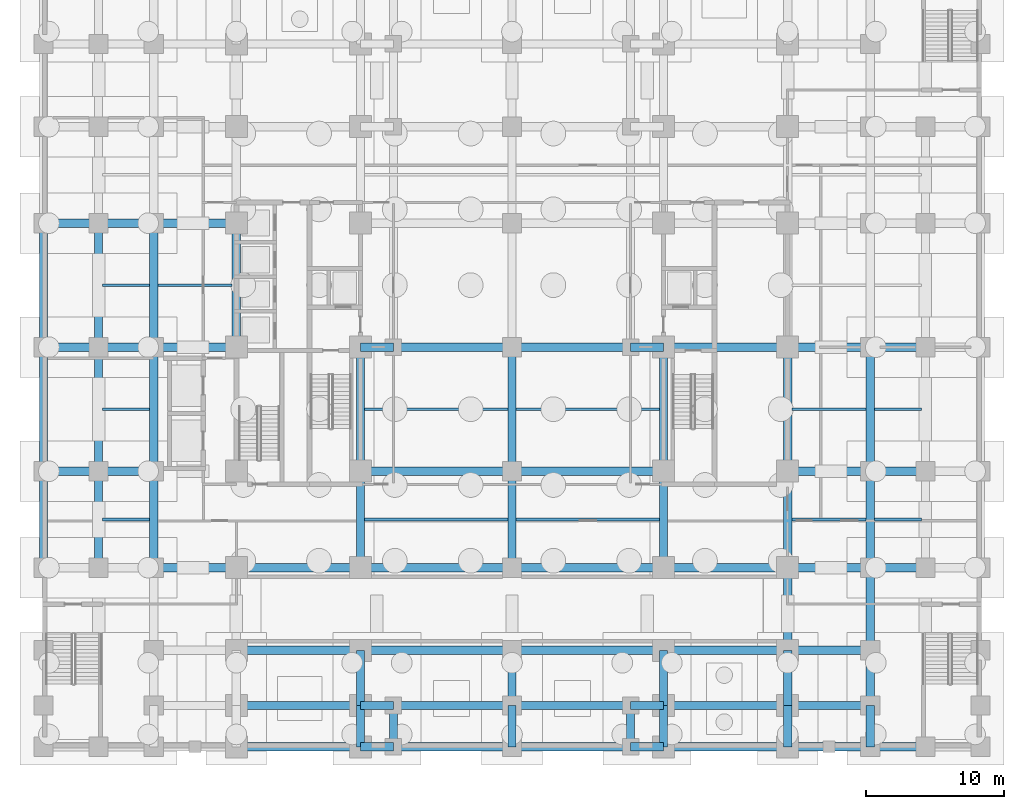
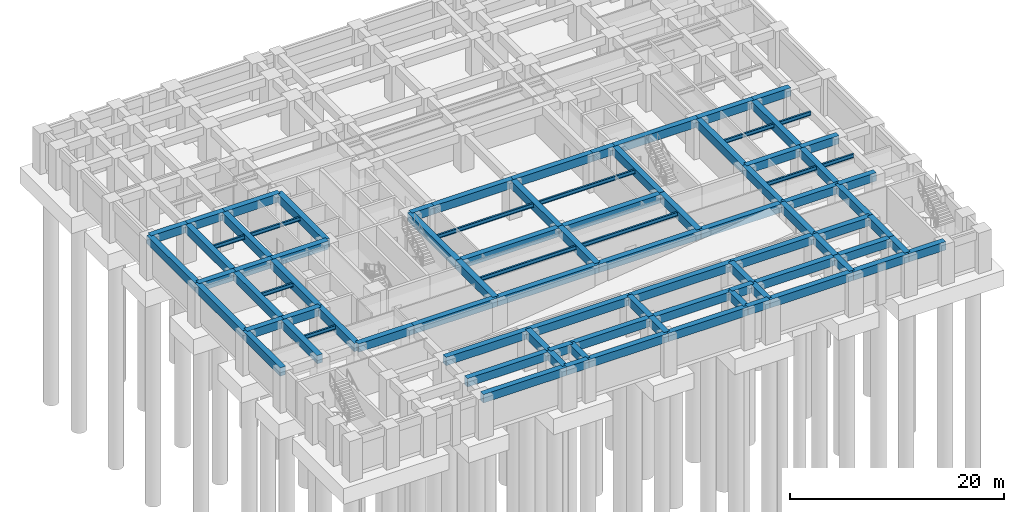
# One storey, part 3 of 16: 92 beams.
"""IFC4 building model written with IfcOpenShell, lengths in metres."""

from ifc_helpers import new_model, si_unit, direction, frame, origin, origin_2d, place, context, subcontext, project, spatial, rectangle, i_section, extrude, material, material_profile, profile_set, type_object, element, save


model = new_model("IFC4")

# Units and contexts
model_context = context("Model", 3, precision=1e-05, world=origin(), true_north=direction((0.0, 1.0)))
body_context = subcontext(model_context, "Body", "Model", "MODEL_VIEW")
ifc_project = project(units=[si_unit("LENGTHUNIT", "METRE"), si_unit("AREAUNIT", "SQUARE_METRE"), si_unit("VOLUMEUNIT", "CUBIC_METRE"), si_unit("PLANEANGLEUNIT", "RADIAN"), si_unit("MASSUNIT", "GRAM", prefix="KILO")], contexts=[model_context])

# Site, building, storey
site_placement = place(None, origin())
site = spatial("IfcSite", under=ifc_project, at=site_placement, CompositionType="ELEMENT")
building_placement = place(site_placement, origin())
building = spatial("IfcBuilding", under=site, at=building_placement, Name="Zulmaris Gate Convention Tower", CompositionType="ELEMENT")
storey_placement = place(building_placement, frame((0.0, 0.0, -9.10009765625)))
storey = spatial("IfcBuildingStorey", under=building, at=storey_placement, Name="B2", CompositionType="ELEMENT", Elevation=-9.10009765625)

# Beams
ifc_material_1 = material(Name="Concrete C60/75", Category="concrete")
ifc_material_profile_1 = material_profile(ifc_material_1, rectangle(XDim=0.60009765625, YDim=0.949951171875, at=origin_2d()), Name="RC BEAM 600x950")
ifc_profile_set_1 = profile_set([ifc_material_profile_1], Name="Concrete C60/75")
beam_type_1 = type_object("IfcBeamType", Name="BM-RC600x950", PredefinedType="BEAM", material=ifc_profile_set_1)
beam_1_placement = place(storey_placement, frame((-20.0, -29.0, 3.72509765625), z_axis=(1.0, 0.0, 0.0), x_axis=(0.0, 1.0, 0.0)))
element("IfcBeam", 1, at=beam_1_placement, inside=storey, type_object=beam_type_1, Name="B2 Beam BM-B2-X--29.0--20.0", PredefinedType="BEAM", context=body_context, shape_type="SweptSolid", body=[
    extrude(rectangle(XDim=0.60009765625, YDim=0.949951171875, at=origin_2d()), origin(), (0.0, 0.0, 1.0), 9.0),
])
beam_2_placement = place(storey_placement, frame((-11.0, -29.0, 3.72509765625), z_axis=(1.0, 0.0, 0.0), x_axis=(0.0, 1.0, 0.0)))
element("IfcBeam", 2, at=beam_2_placement, inside=storey, type_object=beam_type_1, Name="B2 Beam BM-B2-X--29.0--11.0", PredefinedType="BEAM", context=body_context, shape_type="SweptSolid", body=[
    extrude(rectangle(XDim=0.60009765625, YDim=0.949951171875, at=origin_2d()), origin(), (0.0, 0.0, 1.0), 2.39990234375),
])
for number, where, z_axis, x_axis, name in (
    (3, (-8.60009765625, -29.0, 3.72509765625), (1.0, 0.0, 0.0), (0.0, 1.0, 0.0), "B2 Beam BM-B2-X--29.0--8.6"),
    (4, (0.0, -29.0, 3.72509765625), (1.0, 0.0, 0.0), (0.0, 1.0, 0.0), "B2 Beam BM-B2-X--29.0-+0.0"),
):
    element("IfcBeam", number, at=place(storey_placement, frame(where, z_axis=z_axis, x_axis=x_axis)), inside=storey, type_object=beam_type_1, Name=name, PredefinedType="BEAM", context=body_context, shape_type="SweptSolid", body=[
        extrude(rectangle(XDim=0.60009765625, YDim=0.949951171875, at=origin_2d()), origin(), (0.0, 0.0, 1.0), 8.60009765625),
    ])
beam_3_placement = place(storey_placement, frame((8.60009765625, -29.0, 3.72509765625), z_axis=(1.0, 0.0, 0.0), x_axis=(0.0, 1.0, 0.0)))
element("IfcBeam", 5, at=beam_3_placement, inside=storey, type_object=beam_type_1, Name="B2 Beam BM-B2-X--29.0-+8.6", PredefinedType="BEAM", context=body_context, shape_type="SweptSolid", body=[
    extrude(rectangle(XDim=0.60009765625, YDim=0.949951171875, at=origin_2d()), origin(), (0.0, 0.0, 1.0), 2.39990234375),
])
beam_4_placement = place(storey_placement, frame((11.0, -29.0, 3.72509765625), z_axis=(1.0, 0.0, 0.0), x_axis=(0.0, 1.0, 0.0)))
element("IfcBeam", 6, at=beam_4_placement, inside=storey, type_object=beam_type_1, Name="B2 Beam BM-B2-X--29.0-+11.0", PredefinedType="BEAM", context=body_context, shape_type="SweptSolid", body=[
    extrude(rectangle(XDim=0.60009765625, YDim=0.949951171875, at=origin_2d()), origin(), (0.0, 0.0, 1.0), 9.0),
])
beam_5_placement = place(storey_placement, frame((20.0, -29.0, 3.72509765625), z_axis=(1.0, 0.0, 0.0), x_axis=(0.0, 1.0, 0.0)))
element("IfcBeam", 7, at=beam_5_placement, inside=storey, type_object=beam_type_1, Name="B2 Beam BM-B2-X--29.0-+20.0", PredefinedType="BEAM", context=body_context, shape_type="SweptSolid", body=[
    extrude(rectangle(XDim=0.60009765625, YDim=0.949951171875, at=origin_2d()), origin(), (0.0, 0.0, 1.0), 6.0),
])
beam_6_placement = place(storey_placement, frame((26.0, -29.0, 3.72509765625), z_axis=(1.0, 0.0, 0.0), x_axis=(0.0, 1.0, 0.0)))
element("IfcBeam", 8, at=beam_6_placement, inside=storey, type_object=beam_type_1, Name="B2 Beam BM-B2-X--29.0-+26.0", PredefinedType="BEAM", context=body_context, shape_type="SweptSolid", body=[
    extrude(rectangle(XDim=0.60009765625, YDim=0.949951171875, at=origin_2d()), origin(), (0.0, 0.0, 1.0), 4.0),
])
beam_7_placement = place(storey_placement, frame((-20.0, -26.0, 3.72509765625), z_axis=(1.0, 0.0, 0.0), x_axis=(0.0, 1.0, 0.0)))
element("IfcBeam", 9, at=beam_7_placement, inside=storey, type_object=beam_type_1, Name="B2 Beam BM-B2-X--26.0--20.0", PredefinedType="BEAM", context=body_context, shape_type="SweptSolid", body=[
    extrude(rectangle(XDim=0.60009765625, YDim=0.949951171875, at=origin_2d()), origin(), (0.0, 0.0, 1.0), 9.0),
])
beam_8_placement = place(storey_placement, frame((-11.0, -26.0, 3.72509765625), z_axis=(1.0, 0.0, 0.0), x_axis=(0.0, 1.0, 0.0)))
element("IfcBeam", 10, at=beam_8_placement, inside=storey, type_object=beam_type_1, Name="B2 Beam BM-B2-X--26.0--11.0", PredefinedType="BEAM", context=body_context, shape_type="SweptSolid", body=[
    extrude(rectangle(XDim=0.60009765625, YDim=0.949951171875, at=origin_2d()), origin(), (0.0, 0.0, 1.0), 2.39990234375),
])
for number, where, z_axis, x_axis, name in (
    (11, (-8.60009765625, -26.0, 3.72509765625), (1.0, 0.0, 0.0), (0.0, 1.0, 0.0), "B2 Beam BM-B2-X--26.0--8.6"),
    (12, (0.0, -26.0, 3.72509765625), (1.0, 0.0, 0.0), (0.0, 1.0, 0.0), "B2 Beam BM-B2-X--26.0-+0.0"),
):
    element("IfcBeam", number, at=place(storey_placement, frame(where, z_axis=z_axis, x_axis=x_axis)), inside=storey, type_object=beam_type_1, Name=name, PredefinedType="BEAM", context=body_context, shape_type="SweptSolid", body=[
        extrude(rectangle(XDim=0.60009765625, YDim=0.949951171875, at=origin_2d()), origin(), (0.0, 0.0, 1.0), 8.60009765625),
    ])
beam_9_placement = place(storey_placement, frame((8.60009765625, -26.0, 3.72509765625), z_axis=(1.0, 0.0, 0.0), x_axis=(0.0, 1.0, 0.0)))
element("IfcBeam", 13, at=beam_9_placement, inside=storey, type_object=beam_type_1, Name="B2 Beam BM-B2-X--26.0-+8.6", PredefinedType="BEAM", context=body_context, shape_type="SweptSolid", body=[
    extrude(rectangle(XDim=0.60009765625, YDim=0.949951171875, at=origin_2d()), origin(), (0.0, 0.0, 1.0), 2.39990234375),
])
beam_10_placement = place(storey_placement, frame((11.0, -26.0, 3.72509765625), z_axis=(1.0, 0.0, 0.0), x_axis=(0.0, 1.0, 0.0)))
element("IfcBeam", 14, at=beam_10_placement, inside=storey, type_object=beam_type_1, Name="B2 Beam BM-B2-X--26.0-+11.0", PredefinedType="BEAM", context=body_context, shape_type="SweptSolid", body=[
    extrude(rectangle(XDim=0.60009765625, YDim=0.949951171875, at=origin_2d()), origin(), (0.0, 0.0, 1.0), 9.0),
])
beam_11_placement = place(storey_placement, frame((20.0, -26.0, 3.72509765625), z_axis=(1.0, 0.0, 0.0), x_axis=(0.0, 1.0, 0.0)))
element("IfcBeam", 15, at=beam_11_placement, inside=storey, type_object=beam_type_1, Name="B2 Beam BM-B2-X--26.0-+20.0", PredefinedType="BEAM", context=body_context, shape_type="SweptSolid", body=[
    extrude(rectangle(XDim=0.60009765625, YDim=0.949951171875, at=origin_2d()), origin(), (0.0, 0.0, 1.0), 6.0),
])
beam_12_placement = place(storey_placement, frame((-20.0, -22.0, 3.72509765625), z_axis=(1.0, 0.0, 0.0), x_axis=(0.0, 1.0, 0.0)))
element("IfcBeam", 16, at=beam_12_placement, inside=storey, type_object=beam_type_1, Name="B2 Beam BM-B2-X--22.0--20.0", PredefinedType="BEAM", context=body_context, shape_type="SweptSolid", body=[
    extrude(rectangle(XDim=0.60009765625, YDim=0.949951171875, at=origin_2d()), origin(), (0.0, 0.0, 1.0), 9.0),
])
for number, where, z_axis, x_axis, name in (
    (17, (-11.0, -22.0, 3.72509765625), (1.0, 0.0, 0.0), (0.0, 1.0, 0.0), "B2 Beam BM-B2-X--22.0--11.0"),
    (18, (0.0, -22.0, 3.72509765625), (1.0, 0.0, 0.0), (0.0, 1.0, 0.0), "B2 Beam BM-B2-X--22.0-+0.0"),
):
    element("IfcBeam", number, at=place(storey_placement, frame(where, z_axis=z_axis, x_axis=x_axis)), inside=storey, type_object=beam_type_1, Name=name, PredefinedType="BEAM", context=body_context, shape_type="SweptSolid", body=[
        extrude(rectangle(XDim=0.60009765625, YDim=0.949951171875, at=origin_2d()), origin(), (0.0, 0.0, 1.0), 11.0),
    ])
beam_13_placement = place(storey_placement, frame((11.0, -22.0, 3.72509765625), z_axis=(1.0, 0.0, 0.0), x_axis=(0.0, 1.0, 0.0)))
element("IfcBeam", 19, at=beam_13_placement, inside=storey, type_object=beam_type_1, Name="B2 Beam BM-B2-X--22.0-+11.0", PredefinedType="BEAM", context=body_context, shape_type="SweptSolid", body=[
    extrude(rectangle(XDim=0.60009765625, YDim=0.949951171875, at=origin_2d()), origin(), (0.0, 0.0, 1.0), 9.0),
])
for number, where, z_axis, x_axis, name in (
    (20, (20.0, -22.0, 3.72509765625), (1.0, 0.0, 0.0), (0.0, 1.0, 0.0), "B2 Beam BM-B2-X--22.0-+20.0"),
    (21, (-26.0, -16.0, 3.72509765625), (1.0, 0.0, 0.0), (0.0, 1.0, 0.0), "B2 Beam BM-B2-X--16.0--26.0"),
):
    element("IfcBeam", number, at=place(storey_placement, frame(where, z_axis=z_axis, x_axis=x_axis)), inside=storey, type_object=beam_type_1, Name=name, PredefinedType="BEAM", context=body_context, shape_type="SweptSolid", body=[
        extrude(rectangle(XDim=0.60009765625, YDim=0.949951171875, at=origin_2d()), origin(), (0.0, 0.0, 1.0), 6.0),
    ])
beam_14_placement = place(storey_placement, frame((-20.0, -16.0, 3.72509765625), z_axis=(1.0, 0.0, 0.0), x_axis=(0.0, 1.0, 0.0)))
element("IfcBeam", 22, at=beam_14_placement, inside=storey, type_object=beam_type_1, Name="B2 Beam BM-B2-X--16.0--20.0", PredefinedType="BEAM", context=body_context, shape_type="SweptSolid", body=[
    extrude(rectangle(XDim=0.60009765625, YDim=0.949951171875, at=origin_2d()), origin(), (0.0, 0.0, 1.0), 9.0),
])
for number, where, z_axis, x_axis, name in (
    (23, (-11.0, -16.0, 3.72509765625), (1.0, 0.0, 0.0), (0.0, 1.0, 0.0), "B2 Beam BM-B2-X--16.0--11.0"),
    (24, (0.0, -16.0, 3.72509765625), (1.0, 0.0, 0.0), (0.0, 1.0, 0.0), "B2 Beam BM-B2-X--16.0-+0.0"),
):
    element("IfcBeam", number, at=place(storey_placement, frame(where, z_axis=z_axis, x_axis=x_axis)), inside=storey, type_object=beam_type_1, Name=name, PredefinedType="BEAM", context=body_context, shape_type="SweptSolid", body=[
        extrude(rectangle(XDim=0.60009765625, YDim=0.949951171875, at=origin_2d()), origin(), (0.0, 0.0, 1.0), 11.0),
    ])
beam_15_placement = place(storey_placement, frame((11.0, -16.0, 3.72509765625), z_axis=(1.0, 0.0, 0.0), x_axis=(0.0, 1.0, 0.0)))
element("IfcBeam", 25, at=beam_15_placement, inside=storey, type_object=beam_type_1, Name="B2 Beam BM-B2-X--16.0-+11.0", PredefinedType="BEAM", context=body_context, shape_type="SweptSolid", body=[
    extrude(rectangle(XDim=0.60009765625, YDim=0.949951171875, at=origin_2d()), origin(), (0.0, 0.0, 1.0), 9.0),
])
beam_16_placement = place(storey_placement, frame((20.0, -16.0, 3.72509765625), z_axis=(1.0, 0.0, 0.0), x_axis=(0.0, 1.0, 0.0)))
element("IfcBeam", 26, at=beam_16_placement, inside=storey, type_object=beam_type_1, Name="B2 Beam BM-B2-X--16.0-+20.0", PredefinedType="BEAM", context=body_context, shape_type="SweptSolid", body=[
    extrude(rectangle(XDim=0.60009765625, YDim=0.949951171875, at=origin_2d()), origin(), (0.0, 0.0, 1.0), 6.0),
])
for number, where, z_axis, x_axis, name in (
    (27, (26.0, -16.0, 3.72509765625), (1.0, 0.0, 0.0), (0.0, 1.0, 0.0), "B2 Beam BM-B2-X--16.0-+26.0"),
    (28, (-34.0, -9.0, 3.72509765625), (1.0, 0.0, 0.0), (0.0, 1.0, 0.0), "B2 Beam BM-B2-X--9.0--34.0"),
    (29, (-30.0, -9.0, 3.72509765625), (1.0, 0.0, 0.0), (0.0, 1.0, 0.0), "B2 Beam BM-B2-X--9.0--30.0"),
):
    element("IfcBeam", number, at=place(storey_placement, frame(where, z_axis=z_axis, x_axis=x_axis)), inside=storey, type_object=beam_type_1, Name=name, PredefinedType="BEAM", context=body_context, shape_type="SweptSolid", body=[
        extrude(rectangle(XDim=0.60009765625, YDim=0.949951171875, at=origin_2d()), origin(), (0.0, 0.0, 1.0), 4.0),
    ])
for number, where, z_axis, x_axis, name in (
    (30, (-11.0, -9.0, 3.72509765625), (1.0, 0.0, 0.0), (0.0, 1.0, 0.0), "B2 Beam BM-B2-X--9.0--11.0"),
    (31, (0.0, -9.0, 3.72509765625), (1.0, 0.0, 0.0), (0.0, 1.0, 0.0), "B2 Beam BM-B2-X--9.0-+0.0"),
):
    element("IfcBeam", number, at=place(storey_placement, frame(where, z_axis=z_axis, x_axis=x_axis)), inside=storey, type_object=beam_type_1, Name=name, PredefinedType="BEAM", context=body_context, shape_type="SweptSolid", body=[
        extrude(rectangle(XDim=0.60009765625, YDim=0.949951171875, at=origin_2d()), origin(), (0.0, 0.0, 1.0), 11.0),
    ])
beam_17_placement = place(storey_placement, frame((20.0, -9.0, 3.72509765625), z_axis=(1.0, 0.0, 0.0), x_axis=(0.0, 1.0, 0.0)))
element("IfcBeam", 32, at=beam_17_placement, inside=storey, type_object=beam_type_1, Name="B2 Beam BM-B2-X--9.0-+20.0", PredefinedType="BEAM", context=body_context, shape_type="SweptSolid", body=[
    extrude(rectangle(XDim=0.60009765625, YDim=0.949951171875, at=origin_2d()), origin(), (0.0, 0.0, 1.0), 6.0),
])
for number, where, z_axis, x_axis, name in (
    (33, (26.0, -9.0, 3.72509765625), (1.0, 0.0, 0.0), (0.0, 1.0, 0.0), "B2 Beam BM-B2-X--9.0-+26.0"),
    (34, (-34.0, 0.0, 3.72509765625), (1.0, 0.0, 0.0), (0.0, 1.0, 0.0), "B2 Beam BM-B2-X-+0.0--34.0"),
    (35, (-30.0, 0.0, 3.72509765625), (1.0, 0.0, 0.0), (0.0, 1.0, 0.0), "B2 Beam BM-B2-X-+0.0--30.0"),
):
    element("IfcBeam", number, at=place(storey_placement, frame(where, z_axis=z_axis, x_axis=x_axis)), inside=storey, type_object=beam_type_1, Name=name, PredefinedType="BEAM", context=body_context, shape_type="SweptSolid", body=[
        extrude(rectangle(XDim=0.60009765625, YDim=0.949951171875, at=origin_2d()), origin(), (0.0, 0.0, 1.0), 4.0),
    ])
beam_18_placement = place(storey_placement, frame((-26.0, 0.0, 3.72509765625), z_axis=(1.0, 0.0, 0.0), x_axis=(0.0, 1.0, 0.0)))
element("IfcBeam", 36, at=beam_18_placement, inside=storey, type_object=beam_type_1, Name="B2 Beam BM-B2-X-+0.0--26.0", PredefinedType="BEAM", context=body_context, shape_type="SweptSolid", body=[
    extrude(rectangle(XDim=0.60009765625, YDim=0.949951171875, at=origin_2d()), origin(), (0.0, 0.0, 1.0), 6.0),
])
beam_19_placement = place(storey_placement, frame((-11.0, 0.0, 3.72509765625), z_axis=(1.0, 0.0, 0.0), x_axis=(0.0, 1.0, 0.0)))
element("IfcBeam", 37, at=beam_19_placement, inside=storey, type_object=beam_type_1, Name="B2 Beam BM-B2-X-+0.0--11.0", PredefinedType="BEAM", context=body_context, shape_type="SweptSolid", body=[
    extrude(rectangle(XDim=0.60009765625, YDim=0.949951171875, at=origin_2d()), origin(), (0.0, 0.0, 1.0), 2.39990234375),
])
for number, where, z_axis, x_axis, name in (
    (38, (-8.60009765625, 0.0, 3.72509765625), (1.0, 0.0, 0.0), (0.0, 1.0, 0.0), "B2 Beam BM-B2-X-+0.0--8.6"),
    (39, (0.0, 0.0, 3.72509765625), (1.0, 0.0, 0.0), (0.0, 1.0, 0.0), "B2 Beam BM-B2-X-+0.0-+0.0"),
):
    element("IfcBeam", number, at=place(storey_placement, frame(where, z_axis=z_axis, x_axis=x_axis)), inside=storey, type_object=beam_type_1, Name=name, PredefinedType="BEAM", context=body_context, shape_type="SweptSolid", body=[
        extrude(rectangle(XDim=0.60009765625, YDim=0.949951171875, at=origin_2d()), origin(), (0.0, 0.0, 1.0), 8.60009765625),
    ])
beam_20_placement = place(storey_placement, frame((8.60009765625, 0.0, 3.72509765625), z_axis=(1.0, 0.0, 0.0), x_axis=(0.0, 1.0, 0.0)))
element("IfcBeam", 40, at=beam_20_placement, inside=storey, type_object=beam_type_1, Name="B2 Beam BM-B2-X-+0.0-+8.6", PredefinedType="BEAM", context=body_context, shape_type="SweptSolid", body=[
    extrude(rectangle(XDim=0.60009765625, YDim=0.949951171875, at=origin_2d()), origin(), (0.0, 0.0, 1.0), 2.39990234375),
])
beam_21_placement = place(storey_placement, frame((11.0, 0.0, 3.72509765625), z_axis=(1.0, 0.0, 0.0), x_axis=(0.0, 1.0, 0.0)))
element("IfcBeam", 41, at=beam_21_placement, inside=storey, type_object=beam_type_1, Name="B2 Beam BM-B2-X-+0.0-+11.0", PredefinedType="BEAM", context=body_context, shape_type="SweptSolid", body=[
    extrude(rectangle(XDim=0.60009765625, YDim=0.949951171875, at=origin_2d()), origin(), (0.0, 0.0, 1.0), 9.0),
])
beam_22_placement = place(storey_placement, frame((20.0, 0.0, 3.72509765625), z_axis=(1.0, 0.0, 0.0), x_axis=(0.0, 1.0, 0.0)))
element("IfcBeam", 42, at=beam_22_placement, inside=storey, type_object=beam_type_1, Name="B2 Beam BM-B2-X-+0.0-+20.0", PredefinedType="BEAM", context=body_context, shape_type="SweptSolid", body=[
    extrude(rectangle(XDim=0.60009765625, YDim=0.949951171875, at=origin_2d()), origin(), (0.0, 0.0, 1.0), 6.0),
])
for number, where, z_axis, x_axis, name in (
    (43, (26.0, 0.0, 3.72509765625), (1.0, 0.0, 0.0), (0.0, 1.0, 0.0), "B2 Beam BM-B2-X-+0.0-+26.0"),
    (44, (-34.0, 9.0, 3.72509765625), (1.0, 0.0, 0.0), (0.0, 1.0, 0.0), "B2 Beam BM-B2-X-+9.0--34.0"),
    (45, (-30.0, 9.0, 3.72509765625), (1.0, 0.0, 0.0), (0.0, 1.0, 0.0), "B2 Beam BM-B2-X-+9.0--30.0"),
):
    element("IfcBeam", number, at=place(storey_placement, frame(where, z_axis=z_axis, x_axis=x_axis)), inside=storey, type_object=beam_type_1, Name=name, PredefinedType="BEAM", context=body_context, shape_type="SweptSolid", body=[
        extrude(rectangle(XDim=0.60009765625, YDim=0.949951171875, at=origin_2d()), origin(), (0.0, 0.0, 1.0), 4.0),
    ])
beam_23_placement = place(storey_placement, frame((-26.0, 9.0, 3.72509765625), z_axis=(1.0, 0.0, 0.0), x_axis=(0.0, 1.0, 0.0)))
element("IfcBeam", 46, at=beam_23_placement, inside=storey, type_object=beam_type_1, Name="B2 Beam BM-B2-X-+9.0--26.0", PredefinedType="BEAM", context=body_context, shape_type="SweptSolid", body=[
    extrude(rectangle(XDim=0.60009765625, YDim=0.949951171875, at=origin_2d()), origin(), (0.0, 0.0, 1.0), 6.0),
])
beam_24_placement = place(storey_placement, frame((-34.0, -16.0, 3.72509765625), z_axis=(0.0, 1.0, 0.0), x_axis=(-1.0, 0.0, 0.0)))
element("IfcBeam", 47, at=beam_24_placement, inside=storey, type_object=beam_type_1, Name="B2 Beam BM-B2-Y--34.0--16.0", PredefinedType="BEAM", context=body_context, shape_type="SweptSolid", body=[
    extrude(rectangle(XDim=0.60009765625, YDim=0.949951171875, at=origin_2d()), origin(), (0.0, 0.0, 1.0), 7.0),
])
for number, where, z_axis, x_axis, name in (
    (48, (-34.0, -9.0, 3.72509765625), (0.0, 1.0, 0.0), (-1.0, 0.0, 0.0), "B2 Beam BM-B2-Y--34.0--9.0"),
    (49, (-34.0, 0.0, 3.72509765625), (0.0, 1.0, 0.0), (-1.0, 0.0, 0.0), "B2 Beam BM-B2-Y--34.0-+0.0"),
):
    element("IfcBeam", number, at=place(storey_placement, frame(where, z_axis=z_axis, x_axis=x_axis)), inside=storey, type_object=beam_type_1, Name=name, PredefinedType="BEAM", context=body_context, shape_type="SweptSolid", body=[
        extrude(rectangle(XDim=0.60009765625, YDim=0.949951171875, at=origin_2d()), origin(), (0.0, 0.0, 1.0), 9.0),
    ])
beam_25_placement = place(storey_placement, frame((-30.0, -16.0, 3.72509765625), z_axis=(0.0, 1.0, 0.0), x_axis=(-1.0, 0.0, 0.0)))
element("IfcBeam", 50, at=beam_25_placement, inside=storey, type_object=beam_type_1, Name="B2 Beam BM-B2-Y--30.0--16.0", PredefinedType="BEAM", context=body_context, shape_type="SweptSolid", body=[
    extrude(rectangle(XDim=0.60009765625, YDim=0.949951171875, at=origin_2d()), origin(), (0.0, 0.0, 1.0), 7.0),
])
for number, where, z_axis, x_axis, name in (
    (51, (-30.0, -9.0, 3.72509765625), (0.0, 1.0, 0.0), (-1.0, 0.0, 0.0), "B2 Beam BM-B2-Y--30.0--9.0"),
    (52, (-30.0, 0.0, 3.72509765625), (0.0, 1.0, 0.0), (-1.0, 0.0, 0.0), "B2 Beam BM-B2-Y--30.0-+0.0"),
):
    element("IfcBeam", number, at=place(storey_placement, frame(where, z_axis=z_axis, x_axis=x_axis)), inside=storey, type_object=beam_type_1, Name=name, PredefinedType="BEAM", context=body_context, shape_type="SweptSolid", body=[
        extrude(rectangle(XDim=0.60009765625, YDim=0.949951171875, at=origin_2d()), origin(), (0.0, 0.0, 1.0), 9.0),
    ])
beam_26_placement = place(storey_placement, frame((-26.0, -16.0, 3.72509765625), z_axis=(0.0, 1.0, 0.0), x_axis=(-1.0, 0.0, 0.0)))
element("IfcBeam", 53, at=beam_26_placement, inside=storey, type_object=beam_type_1, Name="B2 Beam BM-B2-Y--26.0--16.0", PredefinedType="BEAM", context=body_context, shape_type="SweptSolid", body=[
    extrude(rectangle(XDim=0.60009765625, YDim=0.949951171875, at=origin_2d()), origin(), (0.0, 0.0, 1.0), 7.0),
])
for number, where, z_axis, x_axis, name in (
    (54, (-26.0, -9.0, 3.72509765625), (0.0, 1.0, 0.0), (-1.0, 0.0, 0.0), "B2 Beam BM-B2-Y--26.0--9.0"),
    (55, (-26.0, 0.0, 3.72509765625), (0.0, 1.0, 0.0), (-1.0, 0.0, 0.0), "B2 Beam BM-B2-Y--26.0-+0.0"),
    (56, (-20.0, 0.0, 3.72509765625), (0.0, 1.0, 0.0), (-1.0, 0.0, 0.0), "B2 Beam BM-B2-Y--20.0-+0.0"),
):
    element("IfcBeam", number, at=place(storey_placement, frame(where, z_axis=z_axis, x_axis=x_axis)), inside=storey, type_object=beam_type_1, Name=name, PredefinedType="BEAM", context=body_context, shape_type="SweptSolid", body=[
        extrude(rectangle(XDim=0.60009765625, YDim=0.949951171875, at=origin_2d()), origin(), (0.0, 0.0, 1.0), 9.0),
    ])
beam_27_placement = place(storey_placement, frame((-11.0, -29.0, 3.72509765625), z_axis=(0.0, 1.0, 0.0), x_axis=(-1.0, 0.0, 0.0)))
element("IfcBeam", 57, at=beam_27_placement, inside=storey, type_object=beam_type_1, Name="B2 Beam BM-B2-Y--11.0--29.0", PredefinedType="BEAM", context=body_context, shape_type="SweptSolid", body=[
    extrude(rectangle(XDim=0.60009765625, YDim=0.949951171875, at=origin_2d()), origin(), (0.0, 0.0, 1.0), 3.0),
])
beam_28_placement = place(storey_placement, frame((-11.0, -26.0, 3.72509765625), z_axis=(0.0, 1.0, 0.0), x_axis=(-1.0, 0.0, 0.0)))
element("IfcBeam", 58, at=beam_28_placement, inside=storey, type_object=beam_type_1, Name="B2 Beam BM-B2-Y--11.0--26.0", PredefinedType="BEAM", context=body_context, shape_type="SweptSolid", body=[
    extrude(rectangle(XDim=0.60009765625, YDim=0.949951171875, at=origin_2d()), origin(), (0.0, 0.0, 1.0), 4.0),
])
beam_29_placement = place(storey_placement, frame((-11.0, -16.0, 3.72509765625), z_axis=(0.0, 1.0, 0.0), x_axis=(-1.0, 0.0, 0.0)))
element("IfcBeam", 59, at=beam_29_placement, inside=storey, type_object=beam_type_1, Name="B2 Beam BM-B2-Y--11.0--16.0", PredefinedType="BEAM", context=body_context, shape_type="SweptSolid", body=[
    extrude(rectangle(XDim=0.60009765625, YDim=0.949951171875, at=origin_2d()), origin(), (0.0, 0.0, 1.0), 7.0),
])
beam_30_placement = place(storey_placement, frame((-11.0, -9.0, 3.72509765625), z_axis=(0.0, 1.0, 0.0), x_axis=(-1.0, 0.0, 0.0)))
element("IfcBeam", 60, at=beam_30_placement, inside=storey, type_object=beam_type_1, Name="B2 Beam BM-B2-Y--11.0--9.0", PredefinedType="BEAM", context=body_context, shape_type="SweptSolid", body=[
    extrude(rectangle(XDim=0.60009765625, YDim=0.949951171875, at=origin_2d()), origin(), (0.0, 0.0, 1.0), 9.0),
])
for number, where, z_axis, x_axis, name in (
    (61, (-8.60009765625, -29.0, 3.72509765625), (0.0, 1.0, 0.0), (-1.0, 0.0, 0.0), "B2 Beam BM-B2-Y--8.6--29.0"),
    (62, (0.0, -29.0, 3.72509765625), (0.0, 1.0, 0.0), (-1.0, 0.0, 0.0), "B2 Beam BM-B2-Y-+0.0--29.0"),
):
    element("IfcBeam", number, at=place(storey_placement, frame(where, z_axis=z_axis, x_axis=x_axis)), inside=storey, type_object=beam_type_1, Name=name, PredefinedType="BEAM", context=body_context, shape_type="SweptSolid", body=[
        extrude(rectangle(XDim=0.60009765625, YDim=0.949951171875, at=origin_2d()), origin(), (0.0, 0.0, 1.0), 3.0),
    ])
beam_31_placement = place(storey_placement, frame((0.0, -26.0, 3.72509765625), z_axis=(0.0, 1.0, 0.0), x_axis=(-1.0, 0.0, 0.0)))
element("IfcBeam", 63, at=beam_31_placement, inside=storey, type_object=beam_type_1, Name="B2 Beam BM-B2-Y-+0.0--26.0", PredefinedType="BEAM", context=body_context, shape_type="SweptSolid", body=[
    extrude(rectangle(XDim=0.60009765625, YDim=0.949951171875, at=origin_2d()), origin(), (0.0, 0.0, 1.0), 4.0),
])
beam_32_placement = place(storey_placement, frame((0.0, -16.0, 3.72509765625), z_axis=(0.0, 1.0, 0.0), x_axis=(-1.0, 0.0, 0.0)))
element("IfcBeam", 64, at=beam_32_placement, inside=storey, type_object=beam_type_1, Name="B2 Beam BM-B2-Y-+0.0--16.0", PredefinedType="BEAM", context=body_context, shape_type="SweptSolid", body=[
    extrude(rectangle(XDim=0.60009765625, YDim=0.949951171875, at=origin_2d()), origin(), (0.0, 0.0, 1.0), 7.0),
])
beam_33_placement = place(storey_placement, frame((0.0, -9.0, 3.72509765625), z_axis=(0.0, 1.0, 0.0), x_axis=(-1.0, 0.0, 0.0)))
element("IfcBeam", 65, at=beam_33_placement, inside=storey, type_object=beam_type_1, Name="B2 Beam BM-B2-Y-+0.0--9.0", PredefinedType="BEAM", context=body_context, shape_type="SweptSolid", body=[
    extrude(rectangle(XDim=0.60009765625, YDim=0.949951171875, at=origin_2d()), origin(), (0.0, 0.0, 1.0), 9.0),
])
for number, where, z_axis, x_axis, name in (
    (66, (8.60009765625, -29.0, 3.72509765625), (0.0, 1.0, 0.0), (-1.0, 0.0, 0.0), "B2 Beam BM-B2-Y-+8.6--29.0"),
    (67, (11.0, -29.0, 3.72509765625), (0.0, 1.0, 0.0), (-1.0, 0.0, 0.0), "B2 Beam BM-B2-Y-+11.0--29.0"),
):
    element("IfcBeam", number, at=place(storey_placement, frame(where, z_axis=z_axis, x_axis=x_axis)), inside=storey, type_object=beam_type_1, Name=name, PredefinedType="BEAM", context=body_context, shape_type="SweptSolid", body=[
        extrude(rectangle(XDim=0.60009765625, YDim=0.949951171875, at=origin_2d()), origin(), (0.0, 0.0, 1.0), 3.0),
    ])
beam_34_placement = place(storey_placement, frame((11.0, -26.0, 3.72509765625), z_axis=(0.0, 1.0, 0.0), x_axis=(-1.0, 0.0, 0.0)))
element("IfcBeam", 68, at=beam_34_placement, inside=storey, type_object=beam_type_1, Name="B2 Beam BM-B2-Y-+11.0--26.0", PredefinedType="BEAM", context=body_context, shape_type="SweptSolid", body=[
    extrude(rectangle(XDim=0.60009765625, YDim=0.949951171875, at=origin_2d()), origin(), (0.0, 0.0, 1.0), 4.0),
])
beam_35_placement = place(storey_placement, frame((11.0, -16.0, 3.72509765625), z_axis=(0.0, 1.0, 0.0), x_axis=(-1.0, 0.0, 0.0)))
element("IfcBeam", 69, at=beam_35_placement, inside=storey, type_object=beam_type_1, Name="B2 Beam BM-B2-Y-+11.0--16.0", PredefinedType="BEAM", context=body_context, shape_type="SweptSolid", body=[
    extrude(rectangle(XDim=0.60009765625, YDim=0.949951171875, at=origin_2d()), origin(), (0.0, 0.0, 1.0), 7.0),
])
beam_36_placement = place(storey_placement, frame((11.0, -9.0, 3.72509765625), z_axis=(0.0, 1.0, 0.0), x_axis=(-1.0, 0.0, 0.0)))
element("IfcBeam", 70, at=beam_36_placement, inside=storey, type_object=beam_type_1, Name="B2 Beam BM-B2-Y-+11.0--9.0", PredefinedType="BEAM", context=body_context, shape_type="SweptSolid", body=[
    extrude(rectangle(XDim=0.60009765625, YDim=0.949951171875, at=origin_2d()), origin(), (0.0, 0.0, 1.0), 9.0),
])
beam_37_placement = place(storey_placement, frame((20.0, -29.0, 3.72509765625), z_axis=(0.0, 1.0, 0.0), x_axis=(-1.0, 0.0, 0.0)))
element("IfcBeam", 71, at=beam_37_placement, inside=storey, type_object=beam_type_1, Name="B2 Beam BM-B2-Y-+20.0--29.0", PredefinedType="BEAM", context=body_context, shape_type="SweptSolid", body=[
    extrude(rectangle(XDim=0.60009765625, YDim=0.949951171875, at=origin_2d()), origin(), (0.0, 0.0, 1.0), 3.0),
])
beam_38_placement = place(storey_placement, frame((20.0, -26.0, 3.72509765625), z_axis=(0.0, 1.0, 0.0), x_axis=(-1.0, 0.0, 0.0)))
element("IfcBeam", 72, at=beam_38_placement, inside=storey, type_object=beam_type_1, Name="B2 Beam BM-B2-Y-+20.0--26.0", PredefinedType="BEAM", context=body_context, shape_type="SweptSolid", body=[
    extrude(rectangle(XDim=0.60009765625, YDim=0.949951171875, at=origin_2d()), origin(), (0.0, 0.0, 1.0), 4.0),
])
beam_39_placement = place(storey_placement, frame((20.0, -22.0, 3.72509765625), z_axis=(0.0, 1.0, 0.0), x_axis=(-1.0, 0.0, 0.0)))
element("IfcBeam", 73, at=beam_39_placement, inside=storey, type_object=beam_type_1, Name="B2 Beam BM-B2-Y-+20.0--22.0", PredefinedType="BEAM", context=body_context, shape_type="SweptSolid", body=[
    extrude(rectangle(XDim=0.60009765625, YDim=0.949951171875, at=origin_2d()), origin(), (0.0, 0.0, 1.0), 6.0),
])
beam_40_placement = place(storey_placement, frame((20.0, -16.0, 3.72509765625), z_axis=(0.0, 1.0, 0.0), x_axis=(-1.0, 0.0, 0.0)))
element("IfcBeam", 74, at=beam_40_placement, inside=storey, type_object=beam_type_1, Name="B2 Beam BM-B2-Y-+20.0--16.0", PredefinedType="BEAM", context=body_context, shape_type="SweptSolid", body=[
    extrude(rectangle(XDim=0.60009765625, YDim=0.949951171875, at=origin_2d()), origin(), (0.0, 0.0, 1.0), 7.0),
])
beam_41_placement = place(storey_placement, frame((20.0, -9.0, 3.72509765625), z_axis=(0.0, 1.0, 0.0), x_axis=(-1.0, 0.0, 0.0)))
element("IfcBeam", 75, at=beam_41_placement, inside=storey, type_object=beam_type_1, Name="B2 Beam BM-B2-Y-+20.0--9.0", PredefinedType="BEAM", context=body_context, shape_type="SweptSolid", body=[
    extrude(rectangle(XDim=0.60009765625, YDim=0.949951171875, at=origin_2d()), origin(), (0.0, 0.0, 1.0), 9.0),
])
beam_42_placement = place(storey_placement, frame((26.0, -29.0, 3.72509765625), z_axis=(0.0, 1.0, 0.0), x_axis=(-1.0, 0.0, 0.0)))
element("IfcBeam", 76, at=beam_42_placement, inside=storey, type_object=beam_type_1, Name="B2 Beam BM-B2-Y-+26.0--29.0", PredefinedType="BEAM", context=body_context, shape_type="SweptSolid", body=[
    extrude(rectangle(XDim=0.60009765625, YDim=0.949951171875, at=origin_2d()), origin(), (0.0, 0.0, 1.0), 3.0),
])
beam_43_placement = place(storey_placement, frame((26.0, -26.0, 3.72509765625), z_axis=(0.0, 1.0, 0.0), x_axis=(-1.0, 0.0, 0.0)))
element("IfcBeam", 77, at=beam_43_placement, inside=storey, type_object=beam_type_1, Name="B2 Beam BM-B2-Y-+26.0--26.0", PredefinedType="BEAM", context=body_context, shape_type="SweptSolid", body=[
    extrude(rectangle(XDim=0.60009765625, YDim=0.949951171875, at=origin_2d()), origin(), (0.0, 0.0, 1.0), 4.0),
])
beam_44_placement = place(storey_placement, frame((26.0, -22.0, 3.72509765625), z_axis=(0.0, 1.0, 0.0), x_axis=(-1.0, 0.0, 0.0)))
element("IfcBeam", 78, at=beam_44_placement, inside=storey, type_object=beam_type_1, Name="B2 Beam BM-B2-Y-+26.0--22.0", PredefinedType="BEAM", context=body_context, shape_type="SweptSolid", body=[
    extrude(rectangle(XDim=0.60009765625, YDim=0.949951171875, at=origin_2d()), origin(), (0.0, 0.0, 1.0), 6.0),
])
beam_45_placement = place(storey_placement, frame((26.0, -16.0, 3.72509765625), z_axis=(0.0, 1.0, 0.0), x_axis=(-1.0, 0.0, 0.0)))
element("IfcBeam", 79, at=beam_45_placement, inside=storey, type_object=beam_type_1, Name="B2 Beam BM-B2-Y-+26.0--16.0", PredefinedType="BEAM", context=body_context, shape_type="SweptSolid", body=[
    extrude(rectangle(XDim=0.60009765625, YDim=0.949951171875, at=origin_2d()), origin(), (0.0, 0.0, 1.0), 7.0),
])
beam_46_placement = place(storey_placement, frame((26.0, -9.0, 3.72509765625), z_axis=(0.0, 1.0, 0.0), x_axis=(-1.0, 0.0, 0.0)))
element("IfcBeam", 80, at=beam_46_placement, inside=storey, type_object=beam_type_1, Name="B2 Beam BM-B2-Y-+26.0--9.0", PredefinedType="BEAM", context=body_context, shape_type="SweptSolid", body=[
    extrude(rectangle(XDim=0.60009765625, YDim=0.949951171875, at=origin_2d()), origin(), (0.0, 0.0, 1.0), 9.0),
])
ifc_material_2 = material(Name="Steel S355", Category="steel")
ifc_material_profile_2 = material_profile(ifc_material_2, i_section(OverallWidth=0.18994140625, OverallDepth=0.449951171875, WebThickness=0.009521484375, FlangeThickness=0.0146484375, FilletRadius=0.02099609375, at=origin_2d()), Name="IPE 450")
ifc_profile_set_2 = profile_set([ifc_material_profile_2], Name="Steel S355")
beam_type_2 = type_object("IfcBeamType", Name="JT-IPE450", PredefinedType="JOIST", material=ifc_profile_set_2)
for number, where, z_axis, x_axis, name in (
    (81, (-29.699951171875, -12.5, 3.97314453125), (1.0, 0.0, 0.0), (0.0, 1.0, 0.0), "B2 Joist JT-B2--30_-26--12.5"),
    (82, (-29.699951171875, -4.5, 3.97314453125), (1.0, 0.0, 0.0), (0.0, 1.0, 0.0), "B2 Joist JT-B2--30_-26--4.5"),
    (83, (-29.699951171875, 4.5, 3.97314453125), (1.0, 0.0, 0.0), (0.0, 1.0, 0.0), "B2 Joist JT-B2--30_-26-+4.5"),
):
    element("IfcBeam", number, at=place(storey_placement, frame(where, z_axis=z_axis, x_axis=x_axis)), inside=storey, type_object=beam_type_2, Name=name, PredefinedType="JOIST", context=body_context, shape_type="SweptSolid", body=[
        extrude(i_section(OverallWidth=0.18994140625, OverallDepth=0.449951171875, WebThickness=0.009521484375, FlangeThickness=0.0146484375, FilletRadius=0.02099609375, at=origin_2d()), origin(), (0.0, 0.0, 1.0), 3.39990234375),
    ])
beam_47_placement = place(storey_placement, frame((-25.699951171875, 4.5, 3.97314453125), z_axis=(1.0, 0.0, 0.0), x_axis=(0.0, 1.0, 0.0)))
element("IfcBeam", 84, at=beam_47_placement, inside=storey, type_object=beam_type_2, Name="B2 Joist JT-B2--26_-20-+4.5", PredefinedType="JOIST", context=body_context, shape_type="SweptSolid", body=[
    extrude(i_section(OverallWidth=0.18994140625, OverallDepth=0.449951171875, WebThickness=0.009521484375, FlangeThickness=0.0146484375, FilletRadius=0.02099609375, at=origin_2d()), origin(), (0.0, 0.0, 1.0), 5.39990234375),
])
for number, where, z_axis, x_axis, name in (
    (85, (-10.699951171875, -12.5, 3.97314453125), (1.0, 0.0, 0.0), (0.0, 1.0, 0.0), "B2 Joist JT-B2--11_+0--12.5"),
    (86, (-10.699951171875, -4.5, 3.97314453125), (1.0, 0.0, 0.0), (0.0, 1.0, 0.0), "B2 Joist JT-B2--11_+0--4.5"),
    (87, (0.300048828125, -12.5, 3.97314453125), (1.0, 0.0, 0.0), (0.0, 1.0, 0.0), "B2 Joist JT-B2-+0_+11--12.5"),
    (88, (0.300048828125, -4.5, 3.97314453125), (1.0, 0.0, 0.0), (0.0, 1.0, 0.0), "B2 Joist JT-B2-+0_+11--4.5"),
):
    element("IfcBeam", number, at=place(storey_placement, frame(where, z_axis=z_axis, x_axis=x_axis)), inside=storey, type_object=beam_type_2, Name=name, PredefinedType="JOIST", context=body_context, shape_type="SweptSolid", body=[
        extrude(i_section(OverallWidth=0.18994140625, OverallDepth=0.449951171875, WebThickness=0.009521484375, FlangeThickness=0.0146484375, FilletRadius=0.02099609375, at=origin_2d()), origin(), (0.0, 0.0, 1.0), 10.39990234375),
    ])
for number, where, z_axis, x_axis, name in (
    (89, (20.300048828125, -12.5, 3.97314453125), (1.0, 0.0, 0.0), (0.0, 1.0, 0.0), "B2 Joist JT-B2-+20_+26--12.5"),
    (90, (20.300048828125, -4.5, 3.97314453125), (1.0, 0.0, 0.0), (0.0, 1.0, 0.0), "B2 Joist JT-B2-+20_+26--4.5"),
):
    element("IfcBeam", number, at=place(storey_placement, frame(where, z_axis=z_axis, x_axis=x_axis)), inside=storey, type_object=beam_type_2, Name=name, PredefinedType="JOIST", context=body_context, shape_type="SweptSolid", body=[
        extrude(i_section(OverallWidth=0.18994140625, OverallDepth=0.449951171875, WebThickness=0.009521484375, FlangeThickness=0.0146484375, FilletRadius=0.02099609375, at=origin_2d()), origin(), (0.0, 0.0, 1.0), 5.39990234375),
    ])
for number, where, z_axis, x_axis, name in (
    (91, (26.300048828125, -12.5, 3.97314453125), (1.0, 0.0, 0.0), (0.0, 1.0, 0.0), "B2 Joist JT-B2-+26_+30--12.5"),
    (92, (26.300048828125, -4.5, 3.97314453125), (1.0, 0.0, 0.0), (0.0, 1.0, 0.0), "B2 Joist JT-B2-+26_+30--4.5"),
):
    element("IfcBeam", number, at=place(storey_placement, frame(where, z_axis=z_axis, x_axis=x_axis)), inside=storey, type_object=beam_type_2, Name=name, PredefinedType="JOIST", context=body_context, shape_type="SweptSolid", body=[
        extrude(i_section(OverallWidth=0.18994140625, OverallDepth=0.449951171875, WebThickness=0.009521484375, FlangeThickness=0.0146484375, FilletRadius=0.02099609375, at=origin_2d()), origin(), (0.0, 0.0, 1.0), 3.39990234375),
    ])

save(model, "model.ifc")
